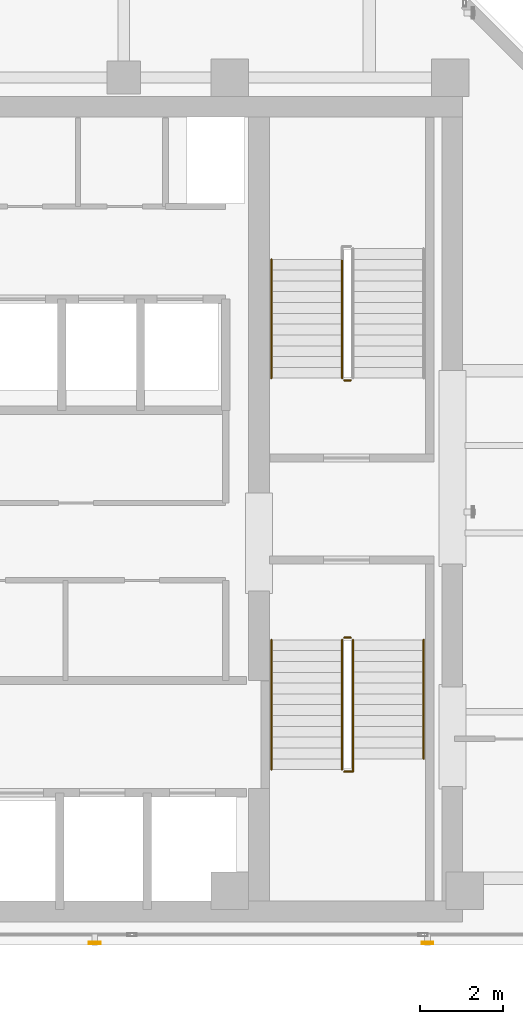
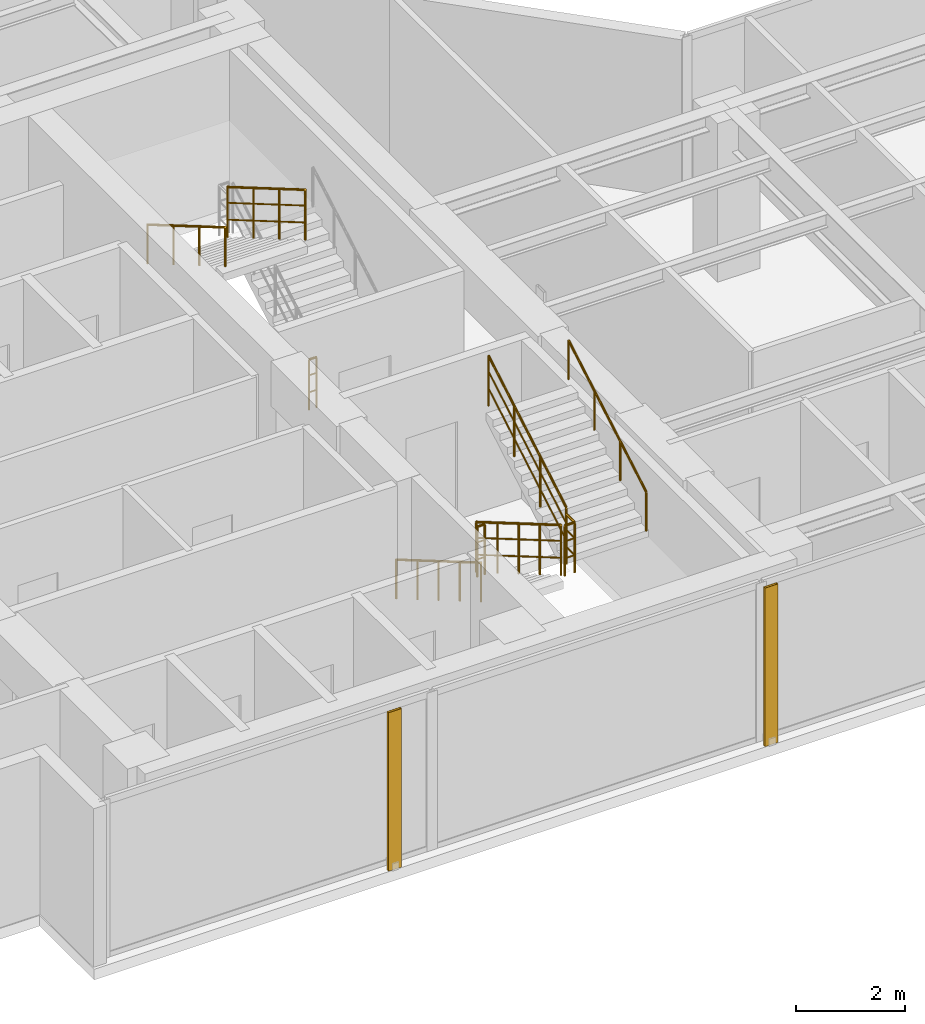
# One storey, part 20 of 24: 9 railings, 2 shading devices.
"""IFC4 building model written with IfcOpenShell, lengths in metres."""

from ifc_helpers import new_model, si_unit, direction, frame, origin, origin_2d, place, context, subcontext, project, spatial, hollow_rectangle, circle, extrude, material, material_profile, profile_set, type_object, element, save


model = new_model("IFC4")

# Units and contexts
model_context = context("Model", 3, precision=1e-05, world=origin(), true_north=direction((0.0, 1.0)))
body_context = subcontext(model_context, "Body", "Model", "MODEL_VIEW")
ifc_project = project(units=[si_unit("LENGTHUNIT", "METRE"), si_unit("AREAUNIT", "SQUARE_METRE"), si_unit("VOLUMEUNIT", "CUBIC_METRE"), si_unit("PLANEANGLEUNIT", "RADIAN"), si_unit("MASSUNIT", "GRAM", prefix="KILO")], contexts=[model_context])

# Site, building, storey
site_placement = place(None, origin())
site = spatial("IfcSite", under=ifc_project, at=site_placement, CompositionType="ELEMENT")
building_placement = place(site_placement, origin())
building = spatial("IfcBuilding", under=site, at=building_placement, Name="Kolvaren Waterfront Exchange", CompositionType="ELEMENT")
storey_placement = place(building_placement, frame((0.0, 0.0, 285.60009765625)))
storey = spatial("IfcBuildingStorey", under=building, at=storey_placement, Name="L73", CompositionType="ELEMENT", Elevation=285.60009765625)

# Shading devices
ifc_material_1 = material(Name="Anodised bronze aluminium 6063-T6", Category="aluminium")
ifc_material_profile = material_profile(ifc_material_1, hollow_rectangle(XDim=0.054931640625, YDim=0.280029296875, WallThickness=0.00439453125, at=origin_2d()), Name="BRZ-FIN-280x55x4.5")
ifc_profile_set = profile_set([ifc_material_profile], Name="Anodised bronze aluminium 6063-T6")
shading_device_type = type_object("IfcShadingDeviceType", Name="ARC-FIN-280", PredefinedType="USERDEFINED", material=ifc_profile_set)
for number, where, z_axis, x_axis, name in (
    (1, (12.199951171875, 3.639892578125, 0.0), (0.0, 0.0, 1.0), (0.0, -1.0, 0.0), "L73 anodised bronze solar shading fin FIN-L73-S1"),
    (2, (20.199951171875, 3.639892578125, 0.0), (0.0, 0.0, 1.0), (0.0, -1.0, 0.0), "L73 anodised bronze solar shading fin FIN-L73-S2"),
):
    element("IfcShadingDevice", number, at=place(storey_placement, frame(where, z_axis=z_axis, x_axis=x_axis)), inside=storey, type_object=shading_device_type, Name=name, ObjectType="SOLAR FIN", PredefinedType="USERDEFINED", context=body_context, shape_type="SweptSolid", body=[
        extrude(hollow_rectangle(XDim=0.054931640625, YDim=0.280029296875, WallThickness=0.00439453125, at=origin_2d()), origin(), (0.0, 0.0, 1.0), 3.559814453125),
    ])

# Railings
ifc_material_2 = material(Name="Stainless steel 316", Category="steel")
railing_type_1 = type_object("IfcRailingType", Name="ARC-GUARD-STAIR", PredefinedType="GUARDRAIL", material=ifc_material_2)
railing_1_placement = place(storey_placement, frame((18.14990234375, 10.929931640625, 0.15185546875)))
element("IfcRailing", 3, at=railing_1_placement, inside=storey, type_object=railing_type_1, Name="L73 ST1 stair guard 1", PredefinedType="GUARDRAIL", context=body_context, shape_type="SweptSolid", body=[
    extrude(circle(Radius=0.02392578125, at=origin_2d()), frame((0.0, 0.0, 1.1259765625), z_axis=(0.0, -0.86329090724, 0.504706656858), x_axis=(1.0, 0.0, 0.0)), (0.0, 0.0, 1.0), 3.614013671875),
    extrude(circle(Radius=0.01611328125, at=origin_2d()), frame((0.0, 0.0, 0.390869140625), z_axis=(0.0, -0.86329090724, 0.504706656858), x_axis=(1.0, 0.0, 0.0)), (0.0, 0.0, 1.0), 3.614013671875),
    extrude(circle(Radius=0.01611328125, at=origin_2d()), frame((0.0, 0.0, 0.7705078125), z_axis=(0.0, -0.86329090724, 0.504706656858), x_axis=(1.0, 0.0, 0.0)), (0.0, 0.0, 1.0), 3.614013671875),
    extrude(circle(Radius=0.02099609375, at=origin_2d()), origin(), (0.0, 0.0, 1.0), 1.101806640625),
    extrude(circle(Radius=0.02099609375, at=origin_2d()), frame((0.0, -0.780029296875, 0.4560546875)), (0.0, 0.0, 1.0), 1.101806640625),
    extrude(circle(Radius=0.02099609375, at=origin_2d()), frame((0.0, -1.56005859375, 0.912109375)), (0.0, 0.0, 1.0), 1.101806640625),
    extrude(circle(Radius=0.02099609375, at=origin_2d()), frame((0.0, -2.33984375, 1.367919921875)), (0.0, 0.0, 1.0), 1.101806640625),
    extrude(circle(Radius=0.02099609375, at=origin_2d()), frame((0.0, -3.119873046875, 1.823974609375)), (0.0, 0.0, 1.0), 1.101806640625),
])
railing_2_placement = place(storey_placement, frame((18.199951171875, 7.760009765625, 1.975830078125)))
element("IfcRailing", 4, at=railing_2_placement, inside=storey, type_object=railing_type_1, Name="L73 ST1 stair guard 2", PredefinedType="GUARDRAIL", context=body_context, shape_type="SweptSolid", body=[
    extrude(circle(Radius=0.02392578125, at=origin_2d()), frame((0.0, 0.0, 1.1259765625), z_axis=(1.0, 0.0, 0.0), x_axis=(0.0, 1.0, 0.0)), (0.0, 0.0, 1.0), 0.2099609375),
    extrude(circle(Radius=0.01611328125, at=origin_2d()), frame((0.0, 0.0, 0.390869140625), z_axis=(1.0, 0.0, 0.0), x_axis=(0.0, 1.0, 0.0)), (0.0, 0.0, 1.0), 0.2099609375),
    extrude(circle(Radius=0.01611328125, at=origin_2d()), frame((0.0, 0.0, 0.7705078125), z_axis=(1.0, 0.0, 0.0), x_axis=(0.0, 1.0, 0.0)), (0.0, 0.0, 1.0), 0.2099609375),
    extrude(circle(Radius=0.02392578125, at=origin_2d()), frame((0.2099609375, 0.0, 1.1259765625), z_axis=(0.0, 1.0, 0.0), x_axis=(-1.0, 0.0, 0.0)), (0.0, 0.0, 1.0), 0.31005859375),
    extrude(circle(Radius=0.01611328125, at=origin_2d()), frame((0.2099609375, 0.0, 0.390869140625), z_axis=(0.0, 1.0, 0.0), x_axis=(-1.0, 0.0, 0.0)), (0.0, 0.0, 1.0), 0.31005859375),
    extrude(circle(Radius=0.01611328125, at=origin_2d()), frame((0.2099609375, 0.0, 0.7705078125), z_axis=(0.0, 1.0, 0.0), x_axis=(-1.0, 0.0, 0.0)), (0.0, 0.0, 1.0), 0.31005859375),
    extrude(circle(Radius=0.02099609375, at=origin_2d()), origin(), (0.0, 0.0, 1.0), 1.101806640625),
    extrude(circle(Radius=0.02099609375, at=origin_2d()), frame((0.2099609375, 0.0, 0.0)), (0.0, 0.0, 1.0), 1.101806640625),
    extrude(circle(Radius=0.02099609375, at=origin_2d()), frame((0.2099609375, 0.31005859375, 0.0)), (0.0, 0.0, 1.0), 1.101806640625),
])
railing_3_placement = place(storey_placement, frame((18.409912109375, 8.070068359375, 2.1279296875)))
element("IfcRailing", 5, at=railing_3_placement, inside=storey, type_object=railing_type_1, Name="L73 ST1 stair guard 3", PredefinedType="GUARDRAIL", context=body_context, shape_type="SweptSolid", body=[
    extrude(circle(Radius=0.02392578125, at=origin_2d()), frame((0.0, 0.0, 1.1259765625), z_axis=(0.0, 0.86330272217, 0.504686447108), x_axis=(-1.0, 0.0, 0.0)), (0.0, 0.0, 1.0), 3.312744140625),
    extrude(circle(Radius=0.01611328125, at=origin_2d()), frame((0.0, 0.0, 0.390869140625), z_axis=(0.0, 0.86330272217, 0.504686447108), x_axis=(-1.0, 0.0, 0.0)), (0.0, 0.0, 1.0), 3.312744140625),
    extrude(circle(Radius=0.01611328125, at=origin_2d()), frame((0.0, 0.0, 0.7705078125), z_axis=(0.0, 0.86330272217, 0.504686447108), x_axis=(-1.0, 0.0, 0.0)), (0.0, 0.0, 1.0), 3.312744140625),
    extrude(circle(Radius=0.02099609375, at=origin_2d()), origin(), (0.0, 0.0, 1.0), 1.101806640625),
    extrude(circle(Radius=0.02099609375, at=origin_2d()), frame((0.0, 0.953369140625, 0.557373046875)), (0.0, 0.0, 1.0), 1.101806640625),
    extrude(circle(Radius=0.02099609375, at=origin_2d()), frame((0.0, 1.906494140625, 1.114501953125)), (0.0, 0.0, 1.0), 1.101806640625),
    extrude(circle(Radius=0.02099609375, at=origin_2d()), frame((0.0, 2.85986328125, 1.671875)), (0.0, 0.0, 1.0), 1.101806640625),
])
railing_4_placement = place(storey_placement, frame((18.199951171875, 10.97998046875, 0.0)))
element("IfcRailing", 6, at=railing_4_placement, inside=storey, type_object=railing_type_1, Name="L73 ST1 stair guard 4", PredefinedType="GUARDRAIL", context=body_context, shape_type="SweptSolid", body=[
    extrude(circle(Radius=0.02392578125, at=origin_2d()), frame((0.0, 0.0, 1.1259765625), z_axis=(1.0, 0.0, 0.0), x_axis=(0.0, 1.0, 0.0)), (0.0, 0.0, 1.0), 0.16015625),
    extrude(circle(Radius=0.01611328125, at=origin_2d()), frame((0.0, 0.0, 0.390869140625), z_axis=(1.0, 0.0, 0.0), x_axis=(0.0, 1.0, 0.0)), (0.0, 0.0, 1.0), 0.16015625),
    extrude(circle(Radius=0.01611328125, at=origin_2d()), frame((0.0, 0.0, 0.7705078125), z_axis=(1.0, 0.0, 0.0), x_axis=(0.0, 1.0, 0.0)), (0.0, 0.0, 1.0), 0.16015625),
    extrude(circle(Radius=0.02099609375, at=origin_2d()), origin(), (0.0, 0.0, 1.0), 1.101806640625),
    extrude(circle(Radius=0.02099609375, at=origin_2d()), frame((0.16015625, 0.0, 0.0)), (0.0, 0.0, 1.0), 1.101806640625),
])
railing_5_placement = place(storey_placement, frame((18.14990234375, 20.080078125, 2.1279296875)))
element("IfcRailing", 7, at=railing_5_placement, inside=storey, type_object=railing_type_1, Name="L73 ST2 stair guard 3", PredefinedType="GUARDRAIL", context=body_context, shape_type="SweptSolid", body=[
    extrude(circle(Radius=0.02392578125, at=origin_2d()), frame((0.0, 0.0, 1.1259765625), z_axis=(0.0, -0.863321491973, 0.504654338629), x_axis=(1.0, 0.0, 0.0)), (0.0, 0.0, 1.0), 3.31298828125),
    extrude(circle(Radius=0.01611328125, at=origin_2d()), frame((0.0, 0.0, 0.390869140625), z_axis=(0.0, -0.863321491973, 0.504654338629), x_axis=(1.0, 0.0, 0.0)), (0.0, 0.0, 1.0), 3.31298828125),
    extrude(circle(Radius=0.01611328125, at=origin_2d()), frame((0.0, 0.0, 0.7705078125), z_axis=(0.0, -0.863321491973, 0.504654338629), x_axis=(1.0, 0.0, 0.0)), (0.0, 0.0, 1.0), 3.31298828125),
    extrude(circle(Radius=0.02099609375, at=origin_2d()), origin(), (0.0, 0.0, 1.0), 1.101806640625),
    extrude(circle(Radius=0.02099609375, at=origin_2d()), frame((0.0, -0.953369140625, 0.557373046875)), (0.0, 0.0, 1.0), 1.101806640625),
    extrude(circle(Radius=0.02099609375, at=origin_2d()), frame((0.0, -1.90673828125, 1.114501953125)), (0.0, 0.0, 1.0), 1.101806640625),
    extrude(circle(Radius=0.02099609375, at=origin_2d()), frame((0.0, -2.860107421875, 1.671875)), (0.0, 0.0, 1.0), 1.101806640625),
])
railing_6_placement = place(storey_placement, frame((18.360107421875, 17.169921875, 0.0)))
element("IfcRailing", 8, at=railing_6_placement, inside=storey, type_object=railing_type_1, Name="L73 ST2 stair guard 4", PredefinedType="GUARDRAIL", context=body_context, shape_type="SweptSolid", body=[
    extrude(circle(Radius=0.02392578125, at=origin_2d()), frame((0.0, 0.0, 1.1259765625), z_axis=(-1.0, 0.0, 0.0), x_axis=(0.0, -1.0, 0.0)), (0.0, 0.0, 1.0), 0.16015625),
    extrude(circle(Radius=0.01611328125, at=origin_2d()), frame((0.0, 0.0, 0.390869140625), z_axis=(-1.0, 0.0, 0.0), x_axis=(0.0, -1.0, 0.0)), (0.0, 0.0, 1.0), 0.16015625),
    extrude(circle(Radius=0.01611328125, at=origin_2d()), frame((0.0, 0.0, 0.7705078125), z_axis=(-1.0, 0.0, 0.0), x_axis=(0.0, -1.0, 0.0)), (0.0, 0.0, 1.0), 0.16015625),
    extrude(circle(Radius=0.02099609375, at=origin_2d()), origin(), (0.0, 0.0, 1.0), 1.101806640625),
    extrude(circle(Radius=0.02099609375, at=origin_2d()), frame((-0.16015625, 0.0, 0.0)), (0.0, 0.0, 1.0), 1.101806640625),
])
railing_type_2 = type_object("IfcRailingType", Name="ARC-HANDRAIL-900", PredefinedType="HANDRAIL", material=ifc_material_2)
railing_7_placement = place(storey_placement, frame((16.449951171875, 10.929931640625, 0.15185546875)))
element("IfcRailing", 9, at=railing_7_placement, inside=storey, type_object=railing_type_2, Name="L73 ST1 stair handrail 1", PredefinedType="HANDRAIL", context=body_context, shape_type="SweptSolid", body=[
    extrude(circle(Radius=0.02392578125, at=origin_2d()), frame((0.0, 0.0, 0.8759765625), z_axis=(0.0, -0.86329090724, 0.504706656858), x_axis=(1.0, 0.0, 0.0)), (0.0, 0.0, 1.0), 3.614013671875),
    extrude(circle(Radius=0.02099609375, at=origin_2d()), origin(), (0.0, 0.0, 1.0), 0.851806640625),
    extrude(circle(Radius=0.02099609375, at=origin_2d()), frame((0.0, -0.780029296875, 0.4560546875)), (0.0, 0.0, 1.0), 0.851806640625),
    extrude(circle(Radius=0.02099609375, at=origin_2d()), frame((0.0, -1.56005859375, 0.912109375)), (0.0, 0.0, 1.0), 0.851806640625),
    extrude(circle(Radius=0.02099609375, at=origin_2d()), frame((0.0, -2.33984375, 1.367919921875)), (0.0, 0.0, 1.0), 0.851806640625),
    extrude(circle(Radius=0.02099609375, at=origin_2d()), frame((0.0, -3.119873046875, 1.823974609375)), (0.0, 0.0, 1.0), 0.851806640625),
])
railing_8_placement = place(storey_placement, frame((20.110107421875, 8.070068359375, 2.1279296875)))
element("IfcRailing", 10, at=railing_8_placement, inside=storey, type_object=railing_type_2, Name="L73 ST1 stair handrail 2", PredefinedType="HANDRAIL", context=body_context, shape_type="SweptSolid", body=[
    extrude(circle(Radius=0.02392578125, at=origin_2d()), frame((0.0, 0.0, 0.8759765625), z_axis=(0.0, 0.86330272217, 0.504686447108), x_axis=(-1.0, 0.0, 0.0)), (0.0, 0.0, 1.0), 3.312744140625),
    extrude(circle(Radius=0.02099609375, at=origin_2d()), origin(), (0.0, 0.0, 1.0), 0.851806640625),
    extrude(circle(Radius=0.02099609375, at=origin_2d()), frame((0.0, 0.953369140625, 0.557373046875)), (0.0, 0.0, 1.0), 0.851806640625),
    extrude(circle(Radius=0.02099609375, at=origin_2d()), frame((0.0, 1.906494140625, 1.114501953125)), (0.0, 0.0, 1.0), 0.851806640625),
    extrude(circle(Radius=0.02099609375, at=origin_2d()), frame((0.0, 2.85986328125, 1.671875)), (0.0, 0.0, 1.0), 0.851806640625),
])
railing_9_placement = place(storey_placement, frame((16.449951171875, 20.080078125, 2.1279296875)))
element("IfcRailing", 11, at=railing_9_placement, inside=storey, type_object=railing_type_2, Name="L73 ST2 stair handrail 2", PredefinedType="HANDRAIL", context=body_context, shape_type="SweptSolid", body=[
    extrude(circle(Radius=0.02392578125, at=origin_2d()), frame((0.0, 0.0, 0.8759765625), z_axis=(0.0, -0.863321491973, 0.504654338629), x_axis=(1.0, 0.0, 0.0)), (0.0, 0.0, 1.0), 3.31298828125),
    extrude(circle(Radius=0.02099609375, at=origin_2d()), origin(), (0.0, 0.0, 1.0), 0.851806640625),
    extrude(circle(Radius=0.02099609375, at=origin_2d()), frame((0.0, -0.953369140625, 0.557373046875)), (0.0, 0.0, 1.0), 0.851806640625),
    extrude(circle(Radius=0.02099609375, at=origin_2d()), frame((0.0, -1.90673828125, 1.114501953125)), (0.0, 0.0, 1.0), 0.851806640625),
    extrude(circle(Radius=0.02099609375, at=origin_2d()), frame((0.0, -2.860107421875, 1.671875)), (0.0, 0.0, 1.0), 0.851806640625),
])

save(model, "model.ifc")
